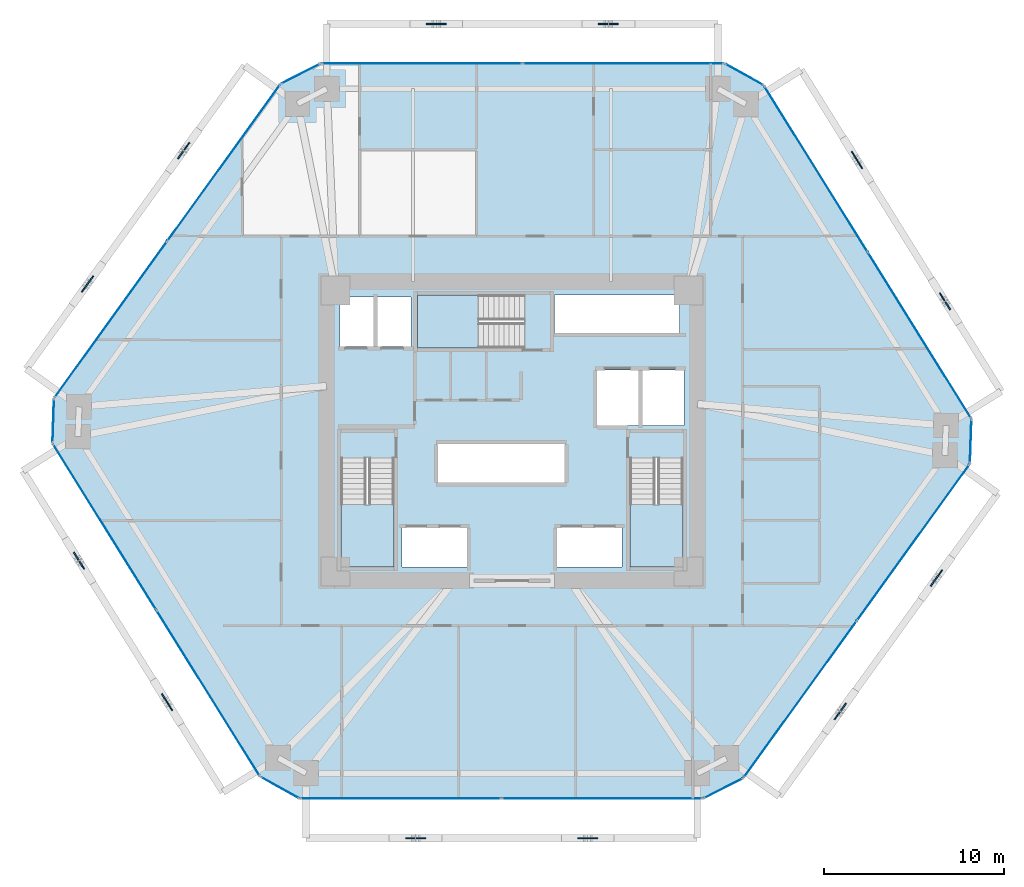
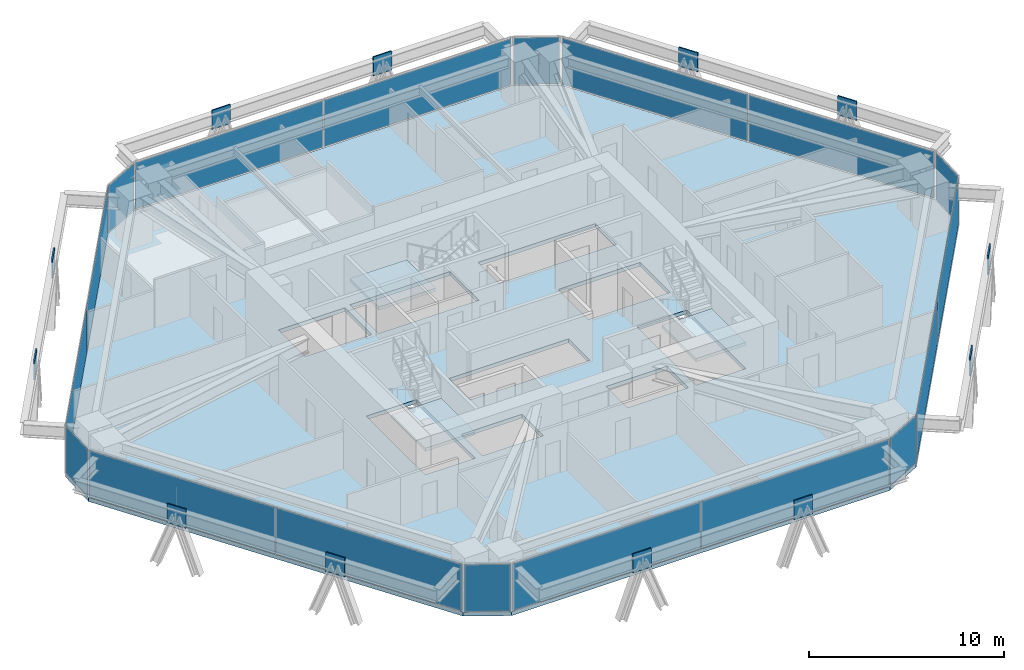
# One storey, part 10 of 17: 30 plates, 4 slabs, 15 elements without a shape of their own.
"""IFC4 building model written with IfcOpenShell, lengths in metres."""

from ifc_helpers import new_model, si_unit, direction, frame, origin, origin_2d, place, context, subcontext, project, spatial, polyline, rectangle, outline, extrude, source, transform, mapped, material, layer, layer_set, type_object, type_shapes, element, aggregate, save


model = new_model("IFC4")

# Units and contexts
model_context = context("Model", 3, precision=1e-05, world=origin(), true_north=direction((0.0, 1.0)))
body_context = subcontext(model_context, "Body", "Model", "MODEL_VIEW")
ifc_project = project(units=[si_unit("LENGTHUNIT", "METRE"), si_unit("AREAUNIT", "SQUARE_METRE"), si_unit("VOLUMEUNIT", "CUBIC_METRE"), si_unit("PLANEANGLEUNIT", "RADIAN"), si_unit("MASSUNIT", "GRAM", prefix="KILO")], contexts=[model_context])

# Site, building, storey
site_placement = place(None, origin())
site = spatial("IfcSite", under=ifc_project, at=site_placement, CompositionType="ELEMENT")
building_placement = place(site_placement, origin())
building = spatial("IfcBuilding", under=site, at=building_placement, Name="Durnholm Broadcast Tower", CompositionType="ELEMENT")
storey_placement = place(building_placement, frame((0.0, 0.0, 39.0)))
storey = spatial("IfcBuildingStorey", under=building, at=storey_placement, Name="L08", CompositionType="ELEMENT", Elevation=39.0)

# Slab
ifc_material_1 = material(Name="Concrete C50/60", Category="concrete")
ifc_layer_1 = layer(ifc_material_1, 0.239990234375)
ifc_layer_set_1 = layer_set([ifc_layer_1], Name="Concrete C50/60")
slab_type_1 = type_object("IfcSlabType", Name="SLAB-FLR-240", PredefinedType="FLOOR", material=ifc_layer_set_1)
slab_1_placement = place(storey_placement, frame((0.0, 0.0, -0.239990234375)))
element("IfcSlab", 1, at=slab_1_placement, inside=storey, type_object=slab_type_1, Name="L08 structural floor slab", PredefinedType="FLOOR", context=body_context, shape_type="SweptSolid", body=[
    extrude(outline(polyline([(-13.9794921875, -19.186279296875), (-11.793701171875, -20.39990234375), (10.6201171875, -20.39990234375), (12.845703125, -19.260986328125), (25.419921875, -1.820556640625), (25.50439453125, 0.677978515625), (13.9794921875, 19.186279296875), (11.793701171875, 20.39990234375), (-10.6201171875, 20.39990234375), (-12.845703125, 19.260986328125), (-25.419921875, 1.820556640625), (-25.50439453125, -0.677978515625), (-13.9794921875, -19.186279296875)]), holes=[polyline([(-2.5, -5.35009765625), (-6.10009765625, -5.35009765625), (-6.10009765625, -7.550048828125), (-2.5, -7.550048828125), (-2.5, -5.35009765625)]), polyline([(6.10009765625, -5.35009765625), (2.5, -5.35009765625), (2.5, -7.550048828125), (6.10009765625, -7.550048828125), (6.10009765625, -5.35009765625)]), polyline([(-6.5400390625, -7.550048828125), (-6.5400390625, -1.5), (-9.5, -1.5), (-9.5, -7.550048828125), (-6.5400390625, -7.550048828125)]), polyline([(9.5, -7.550048828125), (9.5, -1.5), (6.5400390625, -1.5), (6.5400390625, -7.550048828125), (9.5, -7.550048828125)]), polyline([(2.949951171875, -0.699951171875), (-4.14990234375, -0.699951171875), (-4.14990234375, -2.89990234375), (2.949951171875, -2.89990234375), (2.949951171875, -0.699951171875)]), polyline([(9.550048828125, 3.39990234375), (4.699951171875, 3.39990234375), (4.699951171875, 0.300048828125), (9.550048828125, 0.300048828125), (9.550048828125, 3.39990234375)]), polyline([(-5.60009765625, 7.449951171875), (-9.550048828125, 7.449951171875), (-9.550048828125, 4.699951171875), (-5.60009765625, 4.699951171875), (-5.60009765625, 7.449951171875)]), polyline([(-5.25, 7.56005859375), (-5.25, 4.60009765625), (0.699951171875, 4.60009765625), (0.699951171875, 7.56005859375), (-5.25, 7.56005859375)]), polyline([(9.31005859375, 5.39990234375), (9.31005859375, 7.550048828125), (2.35009765625, 7.550048828125), (2.35009765625, 5.39990234375), (9.31005859375, 5.39990234375)])]), origin(), (0.0, 0.0, 1.0), 0.239990234375),
])

# Stair, slab
stair_type = type_object("IfcStairType", Name="STAIR-DL-20R1650", PredefinedType="HALF_TURN_STAIR", material=ifc_material_1)
stair_1_placement = place(storey_placement, origin())
stair_1 = element("IfcStair", 2, at=stair_1_placement, inside=storey, type_object=stair_type, Name="L08 ST-1", PredefinedType="HALF_TURN_STAIR")
ifc_layer_2 = layer(ifc_material_1, 0.199951171875)
ifc_layer_set_2 = layer_set([ifc_layer_2], Name="Concrete C50/60")
slab_type_2 = type_object("IfcSlabType", Name="SLAB-LND-200", PredefinedType="LANDING", material=ifc_layer_set_2)
slab_2_placement = place(storey_placement, frame((0.0, 0.0, 1.449951171875)))
slab_2 = element("IfcSlab", 3, at=slab_2_placement, type_object=slab_type_2, Name="ST-1 landing 1", PredefinedType="LANDING", context=body_context, shape_type="SweptSolid", body=[
    extrude(outline(polyline([(-9.5, -4.06494140625), (-9.5, -7.550048828125), (-6.5400390625, -7.550048828125), (-6.5400390625, -4.06494140625), (-9.5, -4.06494140625)])), origin(), (0.0, 0.0, 1.0), 0.199951171875),
])
aggregate(stair_1, [slab_2])

stair_2_placement = place(storey_placement, origin())
stair_2 = element("IfcStair", 4, at=stair_2_placement, inside=storey, type_object=stair_type, Name="L08 ST-2", PredefinedType="HALF_TURN_STAIR")
slab_3_placement = place(storey_placement, frame((0.0, 0.0, 1.449951171875)))
slab_3 = element("IfcSlab", 5, at=slab_3_placement, type_object=slab_type_2, Name="ST-2 landing 1", PredefinedType="LANDING", context=body_context, shape_type="SweptSolid", body=[
    extrude(outline(polyline([(6.5400390625, -4.06494140625), (6.5400390625, -7.550048828125), (9.5, -7.550048828125), (9.5, -4.06494140625), (6.5400390625, -4.06494140625)])), origin(), (0.0, 0.0, 1.0), 0.199951171875),
])
aggregate(stair_2, [slab_3])

stair_3_placement = place(storey_placement, origin())
stair_3 = element("IfcStair", 6, at=stair_3_placement, inside=storey, type_object=stair_type, Name="L08 ST-3", PredefinedType="HALF_TURN_STAIR")
slab_4_placement = place(storey_placement, frame((0.0, 0.0, 1.449951171875)))
slab_4 = element("IfcSlab", 7, at=slab_4_placement, type_object=slab_type_2, Name="ST-3 landing 1", PredefinedType="LANDING", context=body_context, shape_type="SweptSolid", body=[
    extrude(outline(polyline([(-1.864990234375, 7.56005859375), (-5.25, 7.56005859375), (-5.25, 4.60009765625), (-1.864990234375, 4.60009765625), (-1.864990234375, 7.56005859375)])), origin(), (0.0, 0.0, 1.0), 0.199951171875),
])
aggregate(stair_3, [slab_4])

# Plates
ifc_material_2 = material(Name="Steel ASTM A572 Grade 50", Category="steel")
ifc_layer_3 = layer(ifc_material_2, 0.074951171875)
ifc_layer_set_3 = layer_set([ifc_layer_3], Name="Steel ASTM A572 Grade 50")
plate_type_1 = type_object("IfcPlateType", Name="PLT-KN03-GUS", PredefinedType="USERDEFINED", material=ifc_layer_set_3)
shared_shape_1 = source(origin(), body_context, "Body", "SweptSolid", [
    extrude(rectangle(XDim=1.10009765625, YDim=0.074951171875, at=origin_2d()), origin(), (0.0, 0.0, 1.0), 1.199951171875),
])
type_shapes(plate_type_1, [shared_shape_1])
for number, where, z_axis, x_axis, name in (
    (8, (-5.351318359375, -22.60009765625, 1.70849609375), (0.0, 0.0, 1.0), (1.0, 0.0, 0.0), "L08 welded diagrid node gusset plate KN03 F1"),
    (9, (4.202880859375, -22.60009765625, 1.70849609375), (0.0, 0.0, 1.0), (1.0, 0.0, 0.0), "L08 welded diagrid node gusset plate KN03 F1"),
    (10, (18.223388671875, -15.56396484375, 1.70849609375), (0.0, 0.0, 1.0), (0.584816108738, 0.81116590101, 0.0), "L08 welded diagrid node gusset plate KN03 F2"),
    (11, (23.5595703125, -8.16259765625, 1.70849609375), (0.0, 0.0, 1.0), (0.584816108738, 0.81116590101, 0.0), "L08 welded diagrid node gusset plate KN03 F2"),
    (12, (24.036376953125, 7.197509765625, 1.70849609375), (0.0, 0.0, 1.0), (-0.528586500185, 0.848879444811, 0.0), "L08 welded diagrid node gusset plate KN03 F3"),
    (13, (19.14892578125, 15.04638671875, 1.70849609375), (0.0, 0.0, 1.0), (-0.528586500185, 0.848879444811, 0.0), "L08 welded diagrid node gusset plate KN03 F3"),
    (14, (5.351318359375, 22.60009765625, 1.70849609375), (0.0, 0.0, 1.0), (-1.0, 0.0, 0.0), "L08 welded diagrid node gusset plate KN03 F4"),
    (15, (-4.202880859375, 22.60009765625, 1.70849609375), (0.0, 0.0, 1.0), (-1.0, 0.0, 0.0), "L08 welded diagrid node gusset plate KN03 F4"),
    (16, (-18.223388671875, 15.56396484375, 1.70849609375), (0.0, 0.0, 1.0), (-0.584816108738, -0.81116590101, 0.0), "L08 welded diagrid node gusset plate KN03 F5"),
    (17, (-23.5595703125, 8.16259765625, 1.70849609375), (0.0, 0.0, 1.0), (-0.584816108738, -0.81116590101, 0.0), "L08 welded diagrid node gusset plate KN03 F5"),
    (18, (-24.036376953125, -7.197509765625, 1.70849609375), (0.0, 0.0, 1.0), (0.528586500185, -0.848879444811, 0.0), "L08 welded diagrid node gusset plate KN03 F6"),
    (19, (-19.14892578125, -15.04638671875, 1.70849609375), (0.0, 0.0, 1.0), (0.528586500185, -0.848879444811, 0.0), "L08 welded diagrid node gusset plate KN03 F6"),
):
    element("IfcPlate", number, at=place(storey_placement, frame(where, z_axis=z_axis, x_axis=x_axis)), inside=storey, type_object=plate_type_1, Name=name, ObjectType="GUSSET_PLATE", PredefinedType="USERDEFINED", context=body_context, shape_type="MappedRepresentation", body=[
        mapped(shared_shape_1, transform((0.0, 0.0, 0.0), x_axis=(1.0, 0.0, 0.0), y_axis=(0.0, 1.0, 0.0), z_axis=(0.0, 0.0, 1.0), scale=1.0)),
    ])

# Curtain wall, plate
ifc_material_3 = material(Name="Aluminium and Solar Control IGU", Category="aluminium")
ifc_layer_4 = layer(ifc_material_3, 0.1650390625)
ifc_layer_set_4 = layer_set([ifc_layer_4], Name="Aluminium and Solar Control IGU")
curtain_wall_type_1 = type_object("IfcCurtainWallType", Name="CW-SYS-5", PredefinedType="NOTDEFINED", material=ifc_layer_set_4)
curtain_wall_1_placement = place(storey_placement, origin())
curtain_wall_1 = element("IfcCurtainWall", 20, at=curtain_wall_1_placement, inside=storey, type_object=curtain_wall_type_1, Name="L08 curtain wall CW-CORNER CW-L08-CRN-01", PredefinedType="NOTDEFINED")
ifc_material_4 = material(Name="Low-E Laminated Insulating Glass", Category="glass")
ifc_layer_5 = layer(ifc_material_4, 0.030029296875)
ifc_layer_set_5 = layer_set([ifc_layer_5], Name="Low-E Laminated Insulating Glass")
plate_type_2 = type_object("IfcPlateType", Name="CW-SYS-5-PNL", PredefinedType="CURTAIN_PANEL", material=ifc_layer_set_5)
shared_shape_2 = source(origin(), body_context, "Body", "SweptSolid", [
    extrude(rectangle(XDim=2.3701171875, YDim=0.030029296875, at=origin_2d()), origin(), (0.0, 0.0, 1.0), 2.929931640625),
])
plate_1_placement = place(storey_placement, frame((-25.462158203125, 0.5712890625, 0.06494140625), z_axis=(0.0, 0.0, 1.0), x_axis=(0.033839569233, 0.999427277772, 0.0)))
plate_1 = element("IfcPlate", 21, at=plate_1_placement, type_object=plate_type_2, Name="CW-CORNER panel 1.1", PredefinedType="CURTAIN_PANEL", context=body_context, shape_type="MappedRepresentation", body=[
    mapped(shared_shape_2, transform((0.0, 0.0, 0.0), x_axis=(1.0, 0.0, 0.0), y_axis=(0.0, 1.0, 0.0), z_axis=(0.0, 0.0, 1.0), scale=1.0)),
])
aggregate(curtain_wall_1, [plate_1])

curtain_wall_2_placement = place(storey_placement, origin())
curtain_wall_2 = element("IfcCurtainWall", 22, at=curtain_wall_2_placement, inside=storey, type_object=curtain_wall_type_1, Name="L08 curtain wall CW-CORNER CW-L08-CRN-03", PredefinedType="NOTDEFINED")
plate_2_placement = place(storey_placement, frame((-11.73291015625, 19.83056640625, 0.06494140625), z_axis=(0.0, 0.0, 1.0), x_axis=(0.890187804512, 0.455593758406, 0.0)))
plate_2 = element("IfcPlate", 23, at=plate_2_placement, type_object=plate_type_2, Name="CW-CORNER panel 1.1", PredefinedType="CURTAIN_PANEL", context=body_context, shape_type="MappedRepresentation", body=[
    mapped(shared_shape_2, transform((0.0, 0.0, 0.0), x_axis=(1.0, 0.0, 0.0), y_axis=(0.0, 1.0, 0.0), z_axis=(0.0, 0.0, 1.0), scale=1.0)),
])
aggregate(curtain_wall_2, [plate_2])

curtain_wall_3_placement = place(storey_placement, origin())
curtain_wall_3 = element("IfcCurtainWall", 24, at=curtain_wall_3_placement, inside=storey, type_object=curtain_wall_type_1, Name="L08 curtain wall CW-CORNER CW-L08-CRN-07", PredefinedType="NOTDEFINED")
plate_3_placement = place(storey_placement, frame((25.462158203125, -0.5712890625, 0.06494140625), z_axis=(0.0, 0.0, 1.0), x_axis=(-0.033839569233, -0.999427277772, 0.0)))
plate_3 = element("IfcPlate", 25, at=plate_3_placement, type_object=plate_type_2, Name="CW-CORNER panel 1.1", PredefinedType="CURTAIN_PANEL", context=body_context, shape_type="MappedRepresentation", body=[
    mapped(shared_shape_2, transform((0.0, 0.0, 0.0), x_axis=(1.0, 0.0, 0.0), y_axis=(0.0, 1.0, 0.0), z_axis=(0.0, 0.0, 1.0), scale=1.0)),
])
aggregate(curtain_wall_3, [plate_3])

curtain_wall_4_placement = place(storey_placement, origin())
curtain_wall_4 = element("IfcCurtainWall", 26, at=curtain_wall_4_placement, inside=storey, type_object=curtain_wall_type_1, Name="L08 curtain wall CW-CORNER CW-L08-CRN-09", PredefinedType="NOTDEFINED")
plate_4_placement = place(storey_placement, frame((11.73291015625, -19.83056640625, 0.06494140625), z_axis=(0.0, 0.0, 1.0), x_axis=(-0.890187804512, -0.455593758406, 0.0)))
plate_4 = element("IfcPlate", 27, at=plate_4_placement, type_object=plate_type_2, Name="CW-CORNER panel 1.1", PredefinedType="CURTAIN_PANEL", context=body_context, shape_type="MappedRepresentation", body=[
    mapped(shared_shape_2, transform((0.0, 0.0, 0.0), x_axis=(1.0, 0.0, 0.0), y_axis=(0.0, 1.0, 0.0), z_axis=(0.0, 0.0, 1.0), scale=1.0)),
])
aggregate(curtain_wall_4, [plate_4])

# Curtain wall, plates
ifc_layer_6 = layer(ifc_material_3, 0.18994140625)
ifc_layer_set_6 = layer_set([ifc_layer_6], Name="Aluminium and Solar Control IGU")
curtain_wall_type_2 = type_object("IfcCurtainWallType", Name="CW-SYS-3", PredefinedType="NOTDEFINED", material=ifc_layer_set_6)
curtain_wall_5_placement = place(storey_placement, origin())
curtain_wall_5 = element("IfcCurtainWall", 28, at=curtain_wall_5_placement, inside=storey, type_object=curtain_wall_type_2, Name="L08 curtain wall CW-Z12-VIS CW-L08-F02", PredefinedType="NOTDEFINED")
ifc_layer_7 = layer(ifc_material_4, 0.031982421875)
ifc_layer_set_7 = layer_set([ifc_layer_7], Name="Low-E Laminated Insulating Glass")
plate_type_3 = type_object("IfcPlateType", Name="CW-SYS-3-PNL", PredefinedType="CURTAIN_PANEL", material=ifc_layer_set_7)
shared_shape_3 = source(origin(), body_context, "Body", "SweptSolid", [
    extrude(rectangle(XDim=10.645263671875, YDim=0.031982421875, at=origin_2d()), origin(), (0.0, 0.0, 1.0), 2.919921875),
])
plate_5_placement = place(storey_placement, frame((-22.26611328125, 6.19482421875, 0.070068359375), z_axis=(0.0, 0.0, 1.0), x_axis=(0.584823496176, 0.81116057493, 0.0)))
plate_5 = element("IfcPlate", 29, at=plate_5_placement, type_object=plate_type_3, Name="CW-Z12-VIS panel 1.1", PredefinedType="CURTAIN_PANEL", context=body_context, shape_type="MappedRepresentation", body=[
    mapped(shared_shape_3, transform((0.0, 0.0, 0.0), x_axis=(1.0, 0.0, 0.0), y_axis=(0.0, 1.0, 0.0), z_axis=(0.0, 0.0, 1.0), scale=1.0)),
])
plate_6_placement = place(storey_placement, frame((-15.99951171875, 14.88671875, 0.070068359375), z_axis=(0.0, 0.0, 1.0), x_axis=(0.584823496176, 0.81116057493, 0.0)))
plate_6 = element("IfcPlate", 30, at=plate_6_placement, type_object=plate_type_3, Name="CW-Z12-VIS panel 2.1", PredefinedType="CURTAIN_PANEL", context=body_context, shape_type="MappedRepresentation", body=[
    mapped(shared_shape_3, transform((0.0, 0.0, 0.0), x_axis=(1.0, 0.0, 0.0), y_axis=(0.0, 1.0, 0.0), z_axis=(0.0, 0.0, 1.0), scale=1.0)),
])
aggregate(curtain_wall_5, [plate_5, plate_6])

curtain_wall_6_placement = place(storey_placement, origin())
curtain_wall_6 = element("IfcCurtainWall", 31, at=curtain_wall_6_placement, inside=storey, type_object=curtain_wall_type_2, Name="L08 curtain wall CW-Z12-VIS CW-L08-F08", PredefinedType="NOTDEFINED")
plate_7_placement = place(storey_placement, frame((22.26611328125, -6.19482421875, 0.070068359375), z_axis=(0.0, 0.0, 1.0), x_axis=(-0.584823496176, -0.81116057493, 0.0)))
plate_7 = element("IfcPlate", 32, at=plate_7_placement, type_object=plate_type_3, Name="CW-Z12-VIS panel 1.1", PredefinedType="CURTAIN_PANEL", context=body_context, shape_type="MappedRepresentation", body=[
    mapped(shared_shape_3, transform((0.0, 0.0, 0.0), x_axis=(1.0, 0.0, 0.0), y_axis=(0.0, 1.0, 0.0), z_axis=(0.0, 0.0, 1.0), scale=1.0)),
])
plate_8_placement = place(storey_placement, frame((15.99951171875, -14.88671875, 0.070068359375), z_axis=(0.0, 0.0, 1.0), x_axis=(-0.584823496176, -0.81116057493, 0.0)))
plate_8 = element("IfcPlate", 33, at=plate_8_placement, type_object=plate_type_3, Name="CW-Z12-VIS panel 2.1", PredefinedType="CURTAIN_PANEL", context=body_context, shape_type="MappedRepresentation", body=[
    mapped(shared_shape_3, transform((0.0, 0.0, 0.0), x_axis=(1.0, 0.0, 0.0), y_axis=(0.0, 1.0, 0.0), z_axis=(0.0, 0.0, 1.0), scale=1.0)),
])
aggregate(curtain_wall_6, [plate_7, plate_8])

# Curtain wall, plate
curtain_wall_7_placement = place(storey_placement, origin())
curtain_wall_7 = element("IfcCurtainWall", 34, at=curtain_wall_7_placement, inside=storey, type_object=curtain_wall_type_1, Name="L08 curtain wall CW-CORNER CW-L08-CRN-05", PredefinedType="NOTDEFINED")
shared_shape_4 = source(origin(), body_context, "Body", "SweptSolid", [
    extrude(rectangle(XDim=2.369873046875, YDim=0.030029296875, at=origin_2d()), origin(), (0.0, 0.0, 1.0), 2.929931640625),
])
type_shapes(plate_type_2, [shared_shape_2, shared_shape_4])
plate_9_placement = place(storey_placement, frame((12.88671875, 19.793212890625, 0.06494140625), z_axis=(0.0, 0.0, 1.0), x_axis=(0.874245941394, -0.485483299359, 0.0)))
plate_9 = element("IfcPlate", 35, at=plate_9_placement, type_object=plate_type_2, Name="CW-CORNER panel 1.1", PredefinedType="CURTAIN_PANEL", context=body_context, shape_type="MappedRepresentation", body=[
    mapped(shared_shape_4, transform((0.0, 0.0, 0.0), x_axis=(1.0, 0.0, 0.0), y_axis=(0.0, 1.0, 0.0), z_axis=(0.0, 0.0, 1.0), scale=1.0)),
])
aggregate(curtain_wall_7, [plate_9])

curtain_wall_8_placement = place(storey_placement, origin())
curtain_wall_8 = element("IfcCurtainWall", 36, at=curtain_wall_8_placement, inside=storey, type_object=curtain_wall_type_1, Name="L08 curtain wall CW-CORNER CW-L08-CRN-11", PredefinedType="NOTDEFINED")
plate_10_placement = place(storey_placement, frame((-12.88671875, -19.793212890625, 0.06494140625), z_axis=(0.0, 0.0, 1.0), x_axis=(-0.874245941394, 0.485483299359, 0.0)))
plate_10 = element("IfcPlate", 37, at=plate_10_placement, type_object=plate_type_2, Name="CW-CORNER panel 1.1", PredefinedType="CURTAIN_PANEL", context=body_context, shape_type="MappedRepresentation", body=[
    mapped(shared_shape_4, transform((0.0, 0.0, 0.0), x_axis=(1.0, 0.0, 0.0), y_axis=(0.0, 1.0, 0.0), z_axis=(0.0, 0.0, 1.0), scale=1.0)),
])
aggregate(curtain_wall_8, [plate_10])

# Curtain wall, plates
curtain_wall_9_placement = place(storey_placement, origin())
curtain_wall_9 = element("IfcCurtainWall", 38, at=curtain_wall_9_placement, inside=storey, type_object=curtain_wall_type_2, Name="L08 curtain wall CW-Z12-VIS CW-L08-F06", PredefinedType="NOTDEFINED")
shared_shape_5 = source(origin(), body_context, "Body", "SweptSolid", [
    extrude(rectangle(XDim=10.796630859375, YDim=0.031982421875, at=origin_2d()), origin(), (0.0, 0.0, 1.0), 2.919921875),
])
plate_11_placement = place(storey_placement, frame((16.869873046875, 14.54443359375, 0.070068359375), z_axis=(0.0, 0.0, 1.0), x_axis=(0.528592376777, -0.848875785503, 0.0)))
plate_11 = element("IfcPlate", 39, at=plate_11_placement, type_object=plate_type_3, Name="CW-Z12-VIS panel 1.1", PredefinedType="CURTAIN_PANEL", context=body_context, shape_type="MappedRepresentation", body=[
    mapped(shared_shape_5, transform((0.0, 0.0, 0.0), x_axis=(1.0, 0.0, 0.0), y_axis=(0.0, 1.0, 0.0), z_axis=(0.0, 0.0, 1.0), scale=1.0)),
])
plate_12_placement = place(storey_placement, frame((22.614013671875, 5.320068359375, 0.070068359375), z_axis=(0.0, 0.0, 1.0), x_axis=(0.528592376777, -0.848875785503, 0.0)))
plate_12 = element("IfcPlate", 40, at=plate_12_placement, type_object=plate_type_3, Name="CW-Z12-VIS panel 2.1", PredefinedType="CURTAIN_PANEL", context=body_context, shape_type="MappedRepresentation", body=[
    mapped(shared_shape_5, transform((0.0, 0.0, 0.0), x_axis=(1.0, 0.0, 0.0), y_axis=(0.0, 1.0, 0.0), z_axis=(0.0, 0.0, 1.0), scale=1.0)),
])
aggregate(curtain_wall_9, [plate_11, plate_12])

curtain_wall_10_placement = place(storey_placement, origin())
curtain_wall_10 = element("IfcCurtainWall", 41, at=curtain_wall_10_placement, inside=storey, type_object=curtain_wall_type_2, Name="L08 curtain wall CW-Z12-VIS CW-L08-F12", PredefinedType="NOTDEFINED")
plate_13_placement = place(storey_placement, frame((-16.869873046875, -14.54443359375, 0.070068359375), z_axis=(0.0, 0.0, 1.0), x_axis=(-0.528592376777, 0.848875785503, 0.0)))
plate_13 = element("IfcPlate", 42, at=plate_13_placement, type_object=plate_type_3, Name="CW-Z12-VIS panel 1.1", PredefinedType="CURTAIN_PANEL", context=body_context, shape_type="MappedRepresentation", body=[
    mapped(shared_shape_5, transform((0.0, 0.0, 0.0), x_axis=(1.0, 0.0, 0.0), y_axis=(0.0, 1.0, 0.0), z_axis=(0.0, 0.0, 1.0), scale=1.0)),
])
plate_14_placement = place(storey_placement, frame((-22.614013671875, -5.320068359375, 0.070068359375), z_axis=(0.0, 0.0, 1.0), x_axis=(-0.528592376777, 0.848875785503, 0.0)))
plate_14 = element("IfcPlate", 43, at=plate_14_placement, type_object=plate_type_3, Name="CW-Z12-VIS panel 2.1", PredefinedType="CURTAIN_PANEL", context=body_context, shape_type="MappedRepresentation", body=[
    mapped(shared_shape_5, transform((0.0, 0.0, 0.0), x_axis=(1.0, 0.0, 0.0), y_axis=(0.0, 1.0, 0.0), z_axis=(0.0, 0.0, 1.0), scale=1.0)),
])
aggregate(curtain_wall_10, [plate_13, plate_14])

curtain_wall_11_placement = place(storey_placement, origin())
curtain_wall_11 = element("IfcCurtainWall", 44, at=curtain_wall_11_placement, inside=storey, type_object=curtain_wall_type_2, Name="L08 curtain wall CW-Z12-VIS CW-L08-F04", PredefinedType="NOTDEFINED")
shared_shape_6 = source(origin(), body_context, "Body", "SweptSolid", [
    extrude(rectangle(XDim=11.10205078125, YDim=0.031982421875, at=origin_2d()), origin(), (0.0, 0.0, 1.0), 2.919921875),
])
type_shapes(plate_type_3, [shared_shape_3, shared_shape_5, shared_shape_6])
plate_15_placement = place(storey_placement, frame((-4.999267578125, 20.39990234375, 0.070068359375), z_axis=(0.0, 0.0, 1.0), x_axis=(1.0, 0.0, 0.0)))
plate_15 = element("IfcPlate", 45, at=plate_15_placement, type_object=plate_type_3, Name="CW-Z12-VIS panel 1.1", PredefinedType="CURTAIN_PANEL", context=body_context, shape_type="MappedRepresentation", body=[
    mapped(shared_shape_6, transform((0.0, 0.0, 0.0), x_axis=(1.0, 0.0, 0.0), y_axis=(0.0, 1.0, 0.0), z_axis=(0.0, 0.0, 1.0), scale=1.0)),
])
plate_16_placement = place(storey_placement, frame((6.1728515625, 20.39990234375, 0.070068359375), z_axis=(0.0, 0.0, 1.0), x_axis=(1.0, 0.0, 0.0)))
plate_16 = element("IfcPlate", 46, at=plate_16_placement, type_object=plate_type_3, Name="CW-Z12-VIS panel 2.1", PredefinedType="CURTAIN_PANEL", context=body_context, shape_type="MappedRepresentation", body=[
    mapped(shared_shape_6, transform((0.0, 0.0, 0.0), x_axis=(1.0, 0.0, 0.0), y_axis=(0.0, 1.0, 0.0), z_axis=(0.0, 0.0, 1.0), scale=1.0)),
])
aggregate(curtain_wall_11, [plate_15, plate_16])

curtain_wall_12_placement = place(storey_placement, origin())
curtain_wall_12 = element("IfcCurtainWall", 47, at=curtain_wall_12_placement, inside=storey, type_object=curtain_wall_type_2, Name="L08 curtain wall CW-Z12-VIS CW-L08-F10", PredefinedType="NOTDEFINED")
plate_17_placement = place(storey_placement, frame((4.999267578125, -20.39990234375, 0.070068359375), z_axis=(0.0, 0.0, 1.0), x_axis=(-1.0, 0.0, 0.0)))
plate_17 = element("IfcPlate", 48, at=plate_17_placement, type_object=plate_type_3, Name="CW-Z12-VIS panel 1.1", PredefinedType="CURTAIN_PANEL", context=body_context, shape_type="MappedRepresentation", body=[
    mapped(shared_shape_6, transform((0.0, 0.0, 0.0), x_axis=(1.0, 0.0, 0.0), y_axis=(0.0, 1.0, 0.0), z_axis=(0.0, 0.0, 1.0), scale=1.0)),
])
plate_18_placement = place(storey_placement, frame((-6.1728515625, -20.39990234375, 0.070068359375), z_axis=(0.0, 0.0, 1.0), x_axis=(-1.0, 0.0, 0.0)))
plate_18 = element("IfcPlate", 49, at=plate_18_placement, type_object=plate_type_3, Name="CW-Z12-VIS panel 2.1", PredefinedType="CURTAIN_PANEL", context=body_context, shape_type="MappedRepresentation", body=[
    mapped(shared_shape_6, transform((0.0, 0.0, 0.0), x_axis=(1.0, 0.0, 0.0), y_axis=(0.0, 1.0, 0.0), z_axis=(0.0, 0.0, 1.0), scale=1.0)),
])
aggregate(curtain_wall_12, [plate_17, plate_18])

save(model, "model.ifc")
